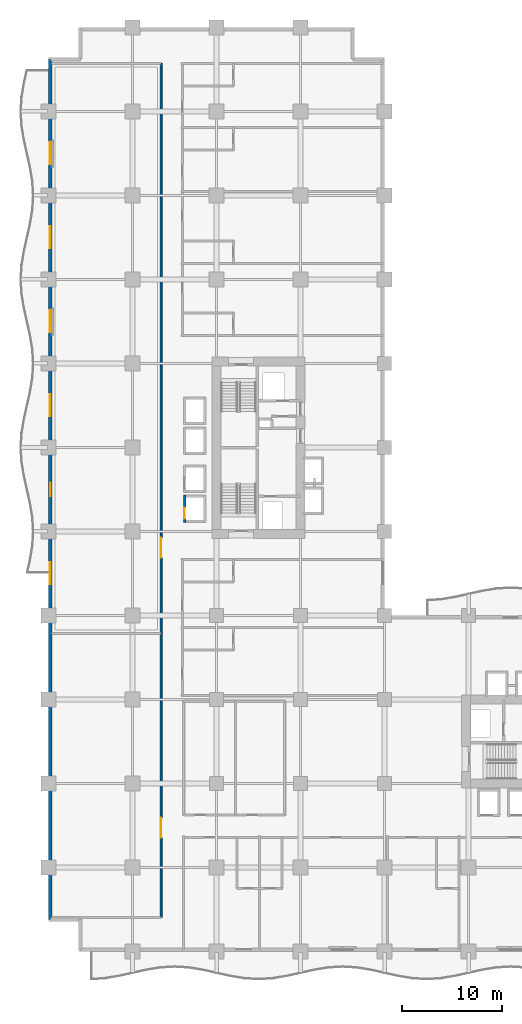
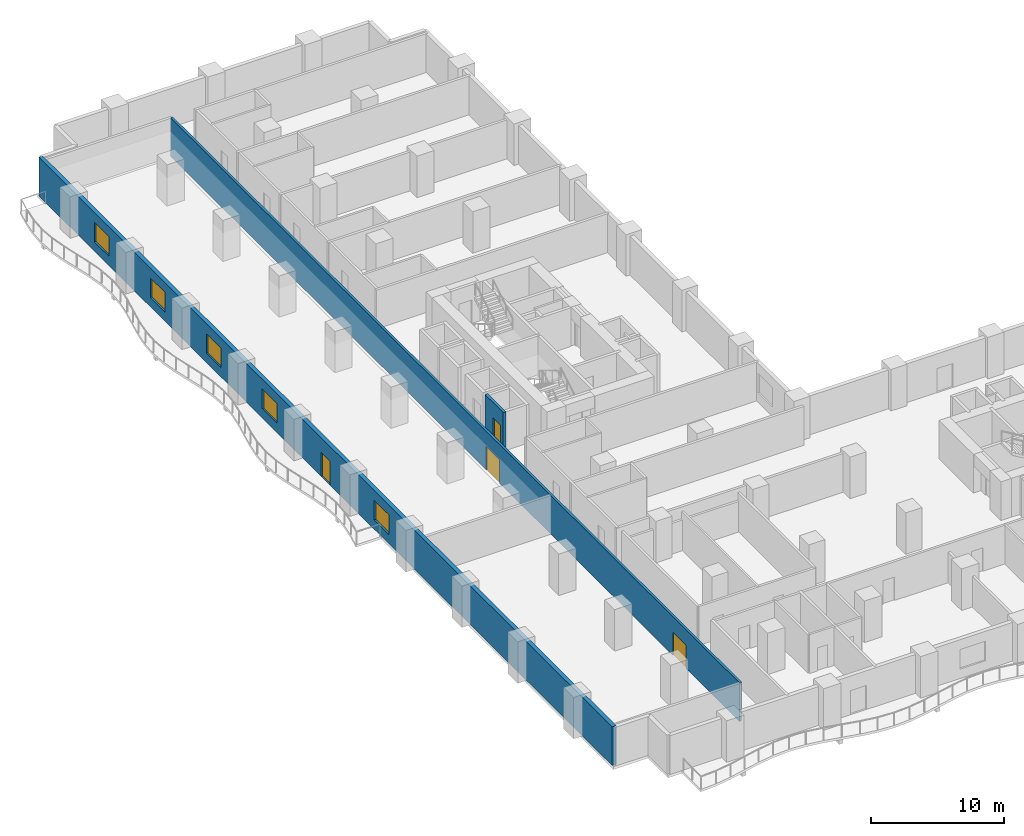
# One storey, part 14 of 27: 5 windows, 4 doors, 3 walls, 9 openings.
"""IFC4 building model written with IfcOpenShell, lengths in metres."""

from ifc_helpers import new_model, si_unit, direction, frame, frame_2d, origin, place, context, subcontext, project, spatial, rectangle, extrude, material, layer, layer_set, type_object, element, fill, save


model = new_model("IFC4")

# Units and contexts
model_context = context("Model", 3, precision=1e-05, world=origin(), true_north=direction((0.0, 1.0)))
body_context = subcontext(model_context, "Body", "Model", "MODEL_VIEW")
ifc_project = project(units=[si_unit("LENGTHUNIT", "METRE"), si_unit("AREAUNIT", "SQUARE_METRE"), si_unit("VOLUMEUNIT", "CUBIC_METRE"), si_unit("PLANEANGLEUNIT", "RADIAN"), si_unit("MASSUNIT", "GRAM", prefix="KILO")], contexts=[model_context])

# Site, building, storey
site_placement = place(None, origin())
site = spatial("IfcSite", under=ifc_project, at=site_placement, CompositionType="ELEMENT")
building_placement = place(site_placement, origin())
building = spatial("IfcBuilding", under=site, at=building_placement, Name="Koriwani Terraces Tower", CompositionType="ELEMENT")
storey_placement = place(building_placement, frame((0.0, 0.0, 54.800048828125)))
storey = spatial("IfcBuildingStorey", under=building, at=storey_placement, Name="L12", CompositionType="ELEMENT", Elevation=54.800048828125)

# Wall, openings, doors
ifc_material_1 = material(Name="Autoclaved Cellular Concrete Blockwork", Category="masonry")
ifc_layer_1 = layer(ifc_material_1, 0.199951171875, Name="Autoclaved Cellular Concrete Blockwork")
ifc_layer_set_1 = layer_set([ifc_layer_1], Name="Autoclaved Cellular Concrete Blockwork")
wall_type_1 = type_object("IfcWallType", Name="WALL_CORRIDOR_200", PredefinedType="PARTITIONING", material=ifc_layer_set_1)
wall_1_placement = place(storey_placement, frame((11.25, 3.39990234375, 0.0), z_axis=(0.0, 0.0, 1.0), x_axis=(0.0, 1.0, 0.0)))
wall_1 = element("IfcWall", 1, at=wall_1_placement, inside=storey, type_object=wall_type_1, Name="L12 Interior Wall WZ1NWCL-L12", PredefinedType="PARTITIONING", context=body_context, shape_type="SweptSolid", body=[
    extrude(rectangle(XDim=85.400146484375, YDim=0.199951171875, at=frame_2d((42.7001953125, 0.0))), origin(), (0.0, 0.0, 1.0), 3.550048828125),
])
opening_1_placement = place(wall_1_placement, frame((8.0, 0.0, 0.0)))
opening_1 = element("IfcOpeningElement", 2, at=opening_1_placement, cuts=wall_1, Name="Opening D-02", PredefinedType="OPENING", context=body_context, shape_type="SweptSolid", body=[
    extrude(rectangle(XDim=2.0, YDim=2.14990234375, at=frame_2d((1.0, 1.074951171875))), frame((0.0, 0.10986328125, 0.0), z_axis=(0.0, -1.0, 0.0), x_axis=(1.0, 0.0, 0.0)), (0.0, 0.0, 1.0), 0.219970703125),
])
opening_2_placement = place(wall_1_placement, frame((36.0, 0.0, 0.0)))
opening_2 = element("IfcOpeningElement", 3, at=opening_2_placement, cuts=wall_1, Name="Opening D-02", PredefinedType="OPENING", context=body_context, shape_type="SweptSolid", body=[
    extrude(rectangle(XDim=2.0, YDim=2.14990234375, at=frame_2d((1.0, 1.074951171875))), frame((0.0, 0.10986328125, 0.0), z_axis=(0.0, -1.0, 0.0), x_axis=(1.0, 0.0, 0.0)), (0.0, 0.0, 1.0), 0.219970703125),
])
ifc_material_2 = material(Name="Anodised Bronze Aluminium", Category="aluminium")
door_type_1 = type_object("IfcDoorType", Name="DOOR_ENTRANCE_DOUBLE_2000X2400", OperationType="NOTDEFINED", PredefinedType="DOOR", material=ifc_material_2)
door_1_placement = place(opening_1_placement, origin())
door_1 = element("IfcDoor", 4, at=door_1_placement, inside=storey, type_object=door_type_1, Name="L12 Hotel Spa Wellness Hall Door", OperationType="SINGLE_SWING_RIGHT", OverallHeight=2.14990234375, OverallWidth=2.0, PredefinedType="DOOR", context=body_context, shape_type="SweptSolid", body=[
    extrude(rectangle(XDim=2.0, YDim=2.14990234375, at=frame_2d((1.0, 1.074951171875))), frame((0.0, 0.02490234375, 0.0), z_axis=(0.0, -1.0, 0.0), x_axis=(1.0, 0.0, 0.0)), (0.0, 0.0, 1.0), 0.050048828125),
])
fill(opening_1, door_1)
door_2_placement = place(opening_2_placement, origin())
door_2 = element("IfcDoor", 5, at=door_2_placement, inside=storey, type_object=door_type_1, Name="L12 Hotel Cinema Conference Door", OperationType="SINGLE_SWING_LEFT", OverallHeight=2.14990234375, OverallWidth=2.0, PredefinedType="DOOR", context=body_context, shape_type="SweptSolid", body=[
    extrude(rectangle(XDim=2.0, YDim=2.14990234375, at=frame_2d((1.0, 1.074951171875))), frame((0.0, 0.02490234375, 0.0), z_axis=(0.0, -1.0, 0.0), x_axis=(1.0, 0.0, 0.0)), (0.0, 0.0, 1.0), 0.050048828125),
])
fill(opening_2, door_2)

# Wall, openings, door, windows
ifc_material_3 = material(Name="Concrete C50/60", Category="concrete")
ifc_layer_2 = layer(ifc_material_3, 0.35009765625, Name="Concrete C50/60")
ifc_layer_set_2 = layer_set([ifc_layer_2], Name="Concrete C50/60")
wall_type_2 = type_object("IfcWallType", Name="WALL_EXT_BRUTALIST_350", PredefinedType="STANDARD", material=ifc_layer_set_2)
wall_2_placement = place(storey_placement, frame((0.175048828125, 3.175048828125, 0.0), z_axis=(0.0, 0.0, 1.0), x_axis=(0.0, 1.0, 0.0)))
wall_2 = element("IfcWall", 6, at=wall_2_placement, inside=storey, type_object=wall_type_2, Name="L12 Fair-Faced Brutalist Exterior Wall (W)", PredefinedType="STANDARD", context=body_context, shape_type="SweptSolid", body=[
    extrude(rectangle(XDim=86.050048828125, YDim=0.35009765625, at=frame_2d((43.02490234375, 0.0))), origin(), (0.0, 0.0, 1.0), 3.550048828125),
])
opening_3_placement = place(wall_2_placement, frame((42.324951171875, 0.0, 0.0)))
opening_3 = element("IfcOpeningElement", 7, at=opening_3_placement, cuts=wall_2, Name="Opening D-09", PredefinedType="OPENING", context=body_context, shape_type="SweptSolid", body=[
    extrude(rectangle(XDim=1.39990234375, YDim=2.199951171875, at=frame_2d((0.699951171875, 1.10009765625))), frame((0.0, 0.18505859375, 0.0), z_axis=(0.0, -1.0, 0.0), x_axis=(1.0, 0.0, 0.0)), (0.0, 0.0, 1.0), 0.3701171875),
])
opening_4_placement = place(wall_2_placement, frame((33.52490234375, 0.0, 0.85009765625)))
opening_4 = element("IfcOpeningElement", 8, at=opening_4_placement, cuts=wall_2, Name="Opening W-01", PredefinedType="OPENING", context=body_context, shape_type="SweptSolid", body=[
    extrude(rectangle(XDim=2.199951171875, YDim=1.800048828125, at=frame_2d((1.10009765625, 0.89990234375))), frame((0.0, 0.18505859375, 0.0), z_axis=(0.0, -1.0, 0.0), x_axis=(1.0, 0.0, 0.0)), (0.0, 0.0, 1.0), 0.3701171875),
])
opening_5_placement = place(wall_2_placement, frame((50.324951171875, 0.0, 0.85009765625)))
opening_5 = element("IfcOpeningElement", 9, at=opening_5_placement, cuts=wall_2, Name="Opening W-01", PredefinedType="OPENING", context=body_context, shape_type="SweptSolid", body=[
    extrude(rectangle(XDim=2.199951171875, YDim=1.800048828125, at=frame_2d((1.10009765625, 0.89990234375))), frame((0.0, 0.18505859375, 0.0), z_axis=(0.0, -1.0, 0.0), x_axis=(1.0, 0.0, 0.0)), (0.0, 0.0, 1.0), 0.3701171875),
])
opening_6_placement = place(wall_2_placement, frame((58.72509765625, 0.0, 0.85009765625)))
opening_6 = element("IfcOpeningElement", 10, at=opening_6_placement, cuts=wall_2, Name="Opening W-01", PredefinedType="OPENING", context=body_context, shape_type="SweptSolid", body=[
    extrude(rectangle(XDim=2.199951171875, YDim=1.800048828125, at=frame_2d((1.10009765625, 0.89990234375))), frame((0.0, 0.18505859375, 0.0), z_axis=(0.0, -1.0, 0.0), x_axis=(1.0, 0.0, 0.0)), (0.0, 0.0, 1.0), 0.3701171875),
])
opening_7_placement = place(wall_2_placement, frame((67.125, 0.0, 0.85009765625)))
opening_7 = element("IfcOpeningElement", 11, at=opening_7_placement, cuts=wall_2, Name="Opening W-01", PredefinedType="OPENING", context=body_context, shape_type="SweptSolid", body=[
    extrude(rectangle(XDim=2.199951171875, YDim=1.800048828125, at=frame_2d((1.10009765625, 0.89990234375))), frame((0.0, 0.18505859375, 0.0), z_axis=(0.0, -1.0, 0.0), x_axis=(1.0, 0.0, 0.0)), (0.0, 0.0, 1.0), 0.3701171875),
])
opening_8_placement = place(wall_2_placement, frame((75.52490234375, 0.0, 0.85009765625)))
opening_8 = element("IfcOpeningElement", 12, at=opening_8_placement, cuts=wall_2, Name="Opening W-01", PredefinedType="OPENING", context=body_context, shape_type="SweptSolid", body=[
    extrude(rectangle(XDim=2.199951171875, YDim=1.800048828125, at=frame_2d((1.10009765625, 0.89990234375))), frame((0.0, 0.18505859375, 0.0), z_axis=(0.0, -1.0, 0.0), x_axis=(1.0, 0.0, 0.0)), (0.0, 0.0, 1.0), 0.3701171875),
])
door_type_2 = type_object("IfcDoorType", Name="DOOR_BALCONY_GLAZED_1400X2200", OperationType="NOTDEFINED", PredefinedType="DOOR", material=ifc_material_2)
door_3_placement = place(opening_3_placement, origin())
door_3 = element("IfcDoor", 13, at=door_3_placement, inside=storey, type_object=door_type_2, Name="L12 West Balcony Glazed Door", OperationType="SINGLE_SWING_LEFT", OverallHeight=2.199951171875, OverallWidth=1.39990234375, PredefinedType="DOOR", context=body_context, shape_type="SweptSolid", body=[
    extrude(rectangle(XDim=1.39990234375, YDim=2.199951171875, at=frame_2d((0.699951171875, 1.10009765625))), frame((0.0, 0.02490234375, 0.0), z_axis=(0.0, -1.0, 0.0), x_axis=(1.0, 0.0, 0.0)), (0.0, 0.0, 1.0), 0.050048828125),
])
fill(opening_3, door_3)
ifc_material_4 = material(Name="Tempered Laminated Low-E Glass", Category="glass")
window_type = type_object("IfcWindowType", Name="WIN_HOTEL_STD_2200X1800", PartitioningType="DOUBLE_PANEL_VERTICAL", PredefinedType="WINDOW", material=ifc_material_4)
window_1_placement = place(opening_4_placement, origin())
window_1 = element("IfcWindow", 14, at=window_1_placement, inside=storey, type_object=window_type, Name="L12 Exterior Window (W-12)", OverallHeight=1.800048828125, OverallWidth=2.199951171875, PartitioningType="SINGLE_PANEL", PredefinedType="WINDOW", context=body_context, shape_type="SweptSolid", body=[
    extrude(rectangle(XDim=2.199951171875, YDim=1.800048828125, at=frame_2d((1.10009765625, 0.89990234375))), frame((0.0, 0.030029296875, 0.0), z_axis=(0.0, -1.0, 0.0), x_axis=(1.0, 0.0, 0.0)), (0.0, 0.0, 1.0), 0.06005859375),
])
fill(opening_4, window_1)
window_2_placement = place(opening_5_placement, origin())
window_2 = element("IfcWindow", 15, at=window_2_placement, inside=storey, type_object=window_type, Name="L12 Exterior Window (W-18)", OverallHeight=1.800048828125, OverallWidth=2.199951171875, PartitioningType="SINGLE_PANEL", PredefinedType="WINDOW", context=body_context, shape_type="SweptSolid", body=[
    extrude(rectangle(XDim=2.199951171875, YDim=1.800048828125, at=frame_2d((1.10009765625, 0.89990234375))), frame((0.0, 0.030029296875, 0.0), z_axis=(0.0, -1.0, 0.0), x_axis=(1.0, 0.0, 0.0)), (0.0, 0.0, 1.0), 0.06005859375),
])
fill(opening_5, window_2)
window_3_placement = place(opening_6_placement, origin())
window_3 = element("IfcWindow", 16, at=window_3_placement, inside=storey, type_object=window_type, Name="L12 Exterior Window (W-21)", OverallHeight=1.800048828125, OverallWidth=2.199951171875, PartitioningType="SINGLE_PANEL", PredefinedType="WINDOW", context=body_context, shape_type="SweptSolid", body=[
    extrude(rectangle(XDim=2.199951171875, YDim=1.800048828125, at=frame_2d((1.10009765625, 0.89990234375))), frame((0.0, 0.030029296875, 0.0), z_axis=(0.0, -1.0, 0.0), x_axis=(1.0, 0.0, 0.0)), (0.0, 0.0, 1.0), 0.06005859375),
])
fill(opening_6, window_3)
window_4_placement = place(opening_7_placement, origin())
window_4 = element("IfcWindow", 17, at=window_4_placement, inside=storey, type_object=window_type, Name="L12 Exterior Window (W-24)", OverallHeight=1.800048828125, OverallWidth=2.199951171875, PartitioningType="SINGLE_PANEL", PredefinedType="WINDOW", context=body_context, shape_type="SweptSolid", body=[
    extrude(rectangle(XDim=2.199951171875, YDim=1.800048828125, at=frame_2d((1.10009765625, 0.89990234375))), frame((0.0, 0.030029296875, 0.0), z_axis=(0.0, -1.0, 0.0), x_axis=(1.0, 0.0, 0.0)), (0.0, 0.0, 1.0), 0.06005859375),
])
fill(opening_7, window_4)
window_5_placement = place(opening_8_placement, origin())
window_5 = element("IfcWindow", 18, at=window_5_placement, inside=storey, type_object=window_type, Name="L12 Exterior Window (W-27)", OverallHeight=1.800048828125, OverallWidth=2.199951171875, PartitioningType="SINGLE_PANEL", PredefinedType="WINDOW", context=body_context, shape_type="SweptSolid", body=[
    extrude(rectangle(XDim=2.199951171875, YDim=1.800048828125, at=frame_2d((1.10009765625, 0.89990234375))), frame((0.0, 0.030029296875, 0.0), z_axis=(0.0, -1.0, 0.0), x_axis=(1.0, 0.0, 0.0)), (0.0, 0.0, 1.0), 0.06005859375),
])
fill(opening_8, window_5)

# Wall, opening, door
ifc_material_5 = material(Name="Concrete C40/50", Category="concrete")
ifc_layer_3 = layer(ifc_material_5, 0.25, Name="Concrete C40/50")
ifc_layer_set_3 = layer_set([ifc_layer_3], Name="Concrete C40/50")
wall_type_3 = type_object("IfcWallType", Name="WALL_SHAFT_RATED_250", PredefinedType="SOLIDWALL", material=ifc_layer_set_3)
wall_3_placement = place(storey_placement, frame((13.60009765625, 42.875, 0.0), z_axis=(0.0, 0.0, 1.0), x_axis=(0.0, 1.0, 0.0)))
wall_3 = element("IfcWall", 19, at=wall_3_placement, inside=storey, type_object=wall_type_3, Name="L12 Interior Wall WIN-LF-PE-L1-L12-F", PredefinedType="SOLIDWALL", context=body_context, shape_type="SweptSolid", body=[
    extrude(rectangle(XDim=2.75, YDim=0.25, at=frame_2d((1.375, 0.0))), origin(), (0.0, 0.0, 1.0), 3.550048828125),
])
opening_9_placement = place(wall_3_placement, frame((0.39990234375, 0.0, 0.0)))
opening_9 = element("IfcOpeningElement", 20, at=opening_9_placement, cuts=wall_3, Name="Opening LD-01", PredefinedType="OPENING", context=body_context, shape_type="SweptSolid", body=[
    extrude(rectangle(XDim=1.10009765625, YDim=2.14990234375, at=frame_2d((0.550048828125, 1.074951171875))), frame((0.0, 0.135009765625, 0.0), z_axis=(0.0, -1.0, 0.0), x_axis=(1.0, 0.0, 0.0)), (0.0, 0.0, 1.0), 0.27001953125),
])
ifc_material_6 = material(Name="Steel ASTM A572 Grade 50", Category="steel")
door_type_3 = type_object("IfcDoorType", Name="DOOR_LIFT_LANDING_1100X2200", OperationType="NOTDEFINED", PredefinedType="DOOR", material=ifc_material_6)
door_4_placement = place(opening_9_placement, origin())
door_4 = element("IfcDoor", 21, at=door_4_placement, inside=storey, type_object=door_type_3, Name="L12 Passenger Lift PE-L1 Landing Door", OperationType="SLIDING_TO_LEFT", OverallHeight=2.14990234375, OverallWidth=1.10009765625, PredefinedType="DOOR", context=body_context, shape_type="SweptSolid", body=[
    extrude(rectangle(XDim=1.10009765625, YDim=2.14990234375, at=frame_2d((0.550048828125, 1.074951171875))), frame((0.0, 0.02490234375, 0.0), z_axis=(0.0, -1.0, 0.0), x_axis=(1.0, 0.0, 0.0)), (0.0, 0.0, 1.0), 0.050048828125),
])
fill(opening_9, door_4)

save(model, "model.ifc")
